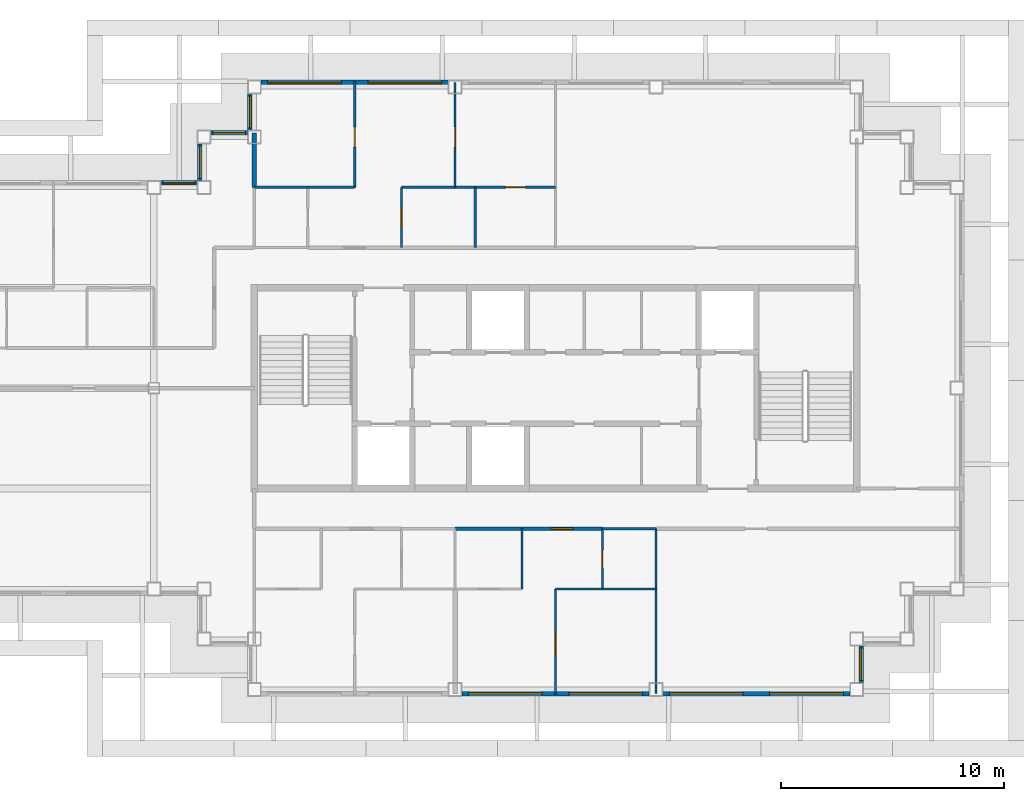
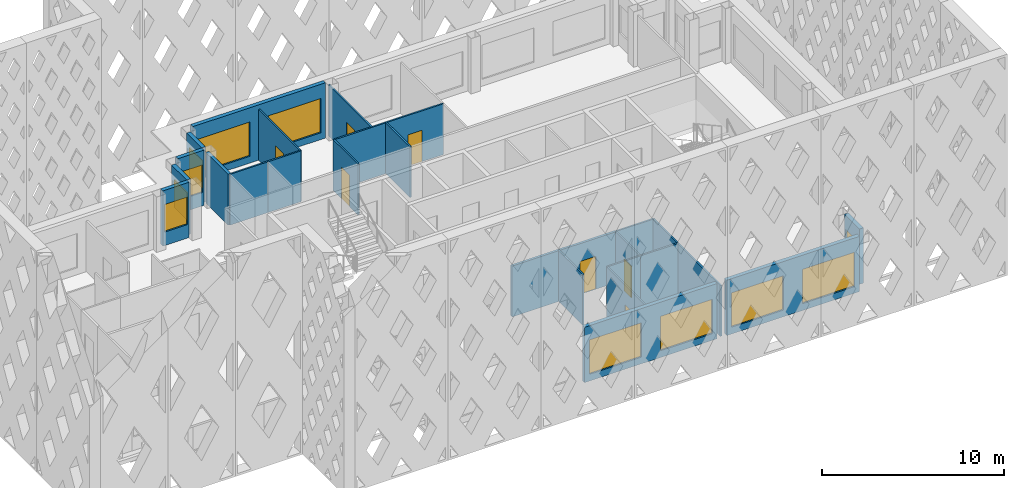
# One storey, part 4 of 15: 25 walls, 11 windows, 7 doors, 18 openings.
"""IFC4 building model written with IfcOpenShell, lengths in metres."""

from ifc_helpers import new_model, si_unit, direction, frame, frame_2d, origin, place, context, subcontext, project, spatial, rectangle, extrude, material, layer, layer_set, type_object, element, fill, save


model = new_model("IFC4")

# Units and contexts
model_context = context("Model", 3, precision=1e-05, world=origin(), true_north=direction((0.0, 1.0)))
body_context = subcontext(model_context, "Body", "Model", "MODEL_VIEW")
ifc_project = project(units=[si_unit("LENGTHUNIT", "METRE"), si_unit("AREAUNIT", "SQUARE_METRE"), si_unit("VOLUMEUNIT", "CUBIC_METRE"), si_unit("PLANEANGLEUNIT", "RADIAN"), si_unit("MASSUNIT", "GRAM", prefix="KILO")], contexts=[model_context])

# Site, building, storey
site_placement = place(None, origin())
site = spatial("IfcSite", under=ifc_project, at=site_placement, CompositionType="ELEMENT")
building_placement = place(site_placement, origin())
building = spatial("IfcBuilding", under=site, at=building_placement, Name="Caravel Reach Hotel and Residences", CompositionType="ELEMENT")
storey_placement = place(building_placement, frame((0.0, 0.0, 252.699951171875)))
storey = spatial("IfcBuildingStorey", under=building, at=storey_placement, Name="L64", CompositionType="ELEMENT", Elevation=252.699951171875)

# Walls
ifc_material_1 = material(Name="Gypsum board on steel stud", Category="steel")
ifc_layer_1 = layer(ifc_material_1, 0.10009765625)
ifc_layer_set_1 = layer_set([ifc_layer_1], Name="Bathroom pod wall 100 mm")
wall_type_1 = type_object("IfcWallType", Name="Bathroom pod wall 100 mm", PredefinedType="PARTITIONING", material=ifc_layer_set_1)
for number, where, z_axis, x_axis, name in (
    (1, (33.60009765625, 18.0, 0.0), (0.0, 0.0, 1.0), (1.0, 0.0, 0.0), "L64 wall w054"),
    (2, (33.60009765625, 20.699951171875, 0.0), (0.0, 0.0, 1.0), (1.0, 0.0, 0.0), "L64 wall w056"),
    (3, (18.0, 36.0, 0.0), (0.0, 0.0, 1.0), (1.0, 0.0, 0.0), "L64 wall w060"),
):
    element("IfcWall", number, at=place(storey_placement, frame(where, z_axis=z_axis, x_axis=x_axis)), inside=storey, type_object=wall_type_1, Name=name, PredefinedType="PARTITIONING", context=body_context, shape_type="SweptSolid", body=[
        extrude(rectangle(XDim=2.39990234375, YDim=0.10009765625, at=frame_2d((1.199951171875, 0.0))), origin(), (0.0, 0.0, 1.0), 3.400146484375),
    ])

# Wall, opening, door
wall_1_placement = place(storey_placement, frame((33.60009765625, 18.0, 0.0), z_axis=(0.0, 0.0, 1.0), x_axis=(0.0, 1.0, 0.0)))
wall_1 = element("IfcWall", 4, at=wall_1_placement, inside=storey, type_object=wall_type_1, Name="L64 wall w065", PredefinedType="PARTITIONING", context=body_context, shape_type="SweptSolid", body=[
    extrude(rectangle(XDim=2.699951171875, YDim=0.10009765625, at=frame_2d((1.35009765625, 0.0))), origin(), (0.0, 0.0, 1.0), 3.400146484375),
])
opening_1_placement = place(wall_1_placement, frame((0.949951171875, 0.0, 0.0)))
opening_1 = element("IfcOpeningElement", 5, at=opening_1_placement, cuts=wall_1, Name="Opening D64-036", PredefinedType="OPENING", context=body_context, shape_type="SweptSolid", body=[
    extrude(rectangle(XDim=0.800048828125, YDim=2.10009765625, at=frame_2d((0.39990234375, 1.050048828125))), frame((0.0, 0.06005859375, 0.0), z_axis=(0.0, -1.0, 0.0), x_axis=(1.0, 0.0, 0.0)), (0.0, 0.0, 1.0), 0.1201171875),
])
ifc_material_2 = material(Name="Timber and steel door leaf", Category="steel")
door_type_1 = type_object("IfcDoorType", Name="Bathroom door 800 x 2100", OperationType="SINGLE_SWING_LEFT", PredefinedType="DOOR", material=ifc_material_2)
door_1_placement = place(opening_1_placement, origin())
door_1 = element("IfcDoor", 6, at=door_1_placement, inside=storey, type_object=door_type_1, Name="door D64-036", OperationType="SINGLE_SWING_LEFT", OverallHeight=2.10009765625, OverallWidth=0.800048828125, PredefinedType="DOOR", context=body_context, shape_type="SweptSolid", body=[
    extrude(rectangle(XDim=0.800048828125, YDim=2.10009765625, at=frame_2d((0.39990234375, 1.050048828125))), frame((0.0, 0.02490234375, 0.0), z_axis=(0.0, -1.0, 0.0), x_axis=(1.0, 0.0, 0.0)), (0.0, 0.0, 1.0), 0.050048828125),
])
fill(opening_1, door_1)

# Wall
wall_2_placement = place(storey_placement, frame((36.0, 18.0, 0.0), z_axis=(0.0, 0.0, 1.0), x_axis=(0.0, 1.0, 0.0)))
element("IfcWall", 7, at=wall_2_placement, inside=storey, type_object=wall_type_1, Name="L64 wall w066", PredefinedType="PARTITIONING", context=body_context, shape_type="SweptSolid", body=[
    extrude(rectangle(XDim=2.699951171875, YDim=0.10009765625, at=frame_2d((1.35009765625, 0.0))), origin(), (0.0, 0.0, 1.0), 3.400146484375),
])

# Wall, opening, door
ifc_material_3 = material(Name="Gypsum board on steel stud, fire-rated", Category="steel")
ifc_layer_2 = layer(ifc_material_3, 0.14990234375)
ifc_layer_set_2 = layer_set([ifc_layer_2], Name="Corridor wall 150 mm EI 60")
wall_type_2 = type_object("IfcWallType", Name="Corridor wall 150 mm EI 60", PredefinedType="PARTITIONING", material=ifc_layer_set_2)
wall_3_placement = place(storey_placement, frame((27.0, 20.699951171875, 0.0), z_axis=(0.0, 0.0, 1.0), x_axis=(1.0, 0.0, 0.0)))
wall_3 = element("IfcWall", 8, at=wall_3_placement, inside=storey, type_object=wall_type_2, Name="L64 wall w004", PredefinedType="PARTITIONING", context=body_context, shape_type="SweptSolid", body=[
    extrude(rectangle(XDim=6.60009765625, YDim=0.14990234375, at=frame_2d((3.300048828125, 0.0))), origin(), (0.0, 0.0, 1.0), 3.400146484375),
])
opening_2_placement = place(wall_3_placement, frame((4.300048828125, 0.0, 0.0)))
opening_2 = element("IfcOpeningElement", 9, at=opening_2_placement, cuts=wall_3, Name="Opening D64-034", PredefinedType="OPENING", context=body_context, shape_type="SweptSolid", body=[
    extrude(rectangle(XDim=1.0, YDim=2.199951171875, at=frame_2d((0.5, 1.10009765625))), frame((0.0, 0.0849609375, 0.0), z_axis=(0.0, -1.0, 0.0), x_axis=(1.0, 0.0, 0.0)), (0.0, 0.0, 1.0), 0.169921875),
])
ifc_material_4 = material(Name="Steel fire door leaf", Category="steel")
door_type_2 = type_object("IfcDoorType", Name="Flat entrance door 1000 x 2200 EI 60", OperationType="SINGLE_SWING_LEFT", PredefinedType="DOOR", material=ifc_material_4)
door_2_placement = place(opening_2_placement, origin())
door_2 = element("IfcDoor", 10, at=door_2_placement, inside=storey, type_object=door_type_2, Name="door D64-034", OperationType="SINGLE_SWING_RIGHT", OverallHeight=2.199951171875, OverallWidth=1.0, PredefinedType="DOOR", context=body_context, shape_type="SweptSolid", body=[
    extrude(rectangle(XDim=1.0, YDim=2.199951171875, at=frame_2d((0.5, 1.10009765625))), frame((0.0, 0.02490234375, 0.0), z_axis=(0.0, -1.0, 0.0), x_axis=(1.0, 0.0, 0.0)), (0.0, 0.0, 1.0), 0.050048828125),
])
fill(opening_2, door_2)

# Wall, openings, windows
ifc_material_5 = material(Name="Insulated rainscreen wall, aluminium cladding", Category="aluminium")
ifc_layer_3 = layer(ifc_material_5, 0.25)
ifc_layer_set_3 = layer_set([ifc_layer_3], Name="EW1 Tower rainscreen wall")
wall_type_3 = type_object("IfcWallType", Name="EW1 Tower rainscreen wall", PredefinedType="SOLIDWALL", material=ifc_layer_set_3)
wall_4_placement = place(storey_placement, frame((27.300048828125, 13.324951171875, 0.0), z_axis=(0.0, 0.0, 1.0), x_axis=(1.0, 0.0, 0.0)))
wall_4 = element("IfcWall", 11, at=wall_4_placement, inside=storey, type_object=wall_type_3, Name="External wall L64 S4.2", PredefinedType="SOLIDWALL", context=body_context, shape_type="SweptSolid", body=[
    extrude(rectangle(XDim=8.39990234375, YDim=0.25, at=frame_2d((4.199951171875, 0.0))), origin(), (0.0, 0.0, 1.0), 3.699951171875),
])
opening_3_placement = place(wall_4_placement, frame((0.300048828125, 0.0, 0.449951171875)))
opening_3 = element("IfcOpeningElement", 12, at=opening_3_placement, cuts=wall_4, Name="Opening WN15", PredefinedType="OPENING", context=body_context, shape_type="SweptSolid", body=[
    extrude(rectangle(XDim=3.300048828125, YDim=2.300048828125, at=frame_2d((1.64990234375, 1.14990234375))), frame((0.0, 0.135009765625, 0.0), z_axis=(0.0, -1.0, 0.0), x_axis=(1.0, 0.0, 0.0)), (0.0, 0.0, 1.0), 0.27001953125),
])
opening_4_placement = place(wall_4_placement, frame((4.800048828125, 0.0, 0.449951171875)))
opening_4 = element("IfcOpeningElement", 13, at=opening_4_placement, cuts=wall_4, Name="Opening WN15", PredefinedType="OPENING", context=body_context, shape_type="SweptSolid", body=[
    extrude(rectangle(XDim=3.300048828125, YDim=2.300048828125, at=frame_2d((1.64990234375, 1.14990234375))), frame((0.0, 0.135009765625, 0.0), z_axis=(0.0, -1.0, 0.0), x_axis=(1.0, 0.0, 0.0)), (0.0, 0.0, 1.0), 0.27001953125),
])
ifc_material_6 = material(Name="Dark low-e glazing in black aluminium frame", Category="aluminium")
window_type_1 = type_object("IfcWindowType", Name="Residence living window 3300 x 2300", PartitioningType="SINGLE_PANEL", PredefinedType="WINDOW", material=ifc_material_6)
window_1_placement = place(opening_3_placement, origin())
window_1 = element("IfcWindow", 14, at=window_1_placement, inside=storey, type_object=window_type_1, Name="Window L64 S4.2.1", OverallHeight=2.300048828125, OverallWidth=3.300048828125, PartitioningType="SINGLE_PANEL", PredefinedType="WINDOW", context=body_context, shape_type="SweptSolid", body=[
    extrude(rectangle(XDim=3.300048828125, YDim=2.300048828125, at=frame_2d((1.64990234375, 1.14990234375))), frame((0.0, 0.030029296875, 0.0), z_axis=(0.0, -1.0, 0.0), x_axis=(1.0, 0.0, 0.0)), (0.0, 0.0, 1.0), 0.06005859375),
])
fill(opening_3, window_1)
window_2_placement = place(opening_4_placement, origin())
window_2 = element("IfcWindow", 15, at=window_2_placement, inside=storey, type_object=window_type_1, Name="Window L64 S4.2.2", OverallHeight=2.300048828125, OverallWidth=3.300048828125, PartitioningType="SINGLE_PANEL", PredefinedType="WINDOW", context=body_context, shape_type="SweptSolid", body=[
    extrude(rectangle(XDim=3.300048828125, YDim=2.300048828125, at=frame_2d((1.64990234375, 1.14990234375))), frame((0.0, 0.030029296875, 0.0), z_axis=(0.0, -1.0, 0.0), x_axis=(1.0, 0.0, 0.0)), (0.0, 0.0, 1.0), 0.06005859375),
])
fill(opening_4, window_2)

wall_5_placement = place(storey_placement, frame((36.300048828125, 13.324951171875, 0.0), z_axis=(0.0, 0.0, 1.0), x_axis=(1.0, 0.0, 0.0)))
wall_5 = element("IfcWall", 16, at=wall_5_placement, inside=storey, type_object=wall_type_3, Name="External wall L64 S4.3", PredefinedType="SOLIDWALL", context=body_context, shape_type="SweptSolid", body=[
    extrude(rectangle(XDim=8.39990234375, YDim=0.25, at=frame_2d((4.199951171875, 0.0))), origin(), (0.0, 0.0, 1.0), 3.699951171875),
])
opening_5_placement = place(wall_5_placement, frame((0.300048828125, 0.0, 0.449951171875)))
opening_5 = element("IfcOpeningElement", 17, at=opening_5_placement, cuts=wall_5, Name="Opening WN15", PredefinedType="OPENING", context=body_context, shape_type="SweptSolid", body=[
    extrude(rectangle(XDim=3.300048828125, YDim=2.300048828125, at=frame_2d((1.64990234375, 1.14990234375))), frame((0.0, 0.135009765625, 0.0), z_axis=(0.0, -1.0, 0.0), x_axis=(1.0, 0.0, 0.0)), (0.0, 0.0, 1.0), 0.27001953125),
])
opening_6_placement = place(wall_5_placement, frame((4.800048828125, 0.0, 0.449951171875)))
opening_6 = element("IfcOpeningElement", 18, at=opening_6_placement, cuts=wall_5, Name="Opening WN15", PredefinedType="OPENING", context=body_context, shape_type="SweptSolid", body=[
    extrude(rectangle(XDim=3.300048828125, YDim=2.300048828125, at=frame_2d((1.64990234375, 1.14990234375))), frame((0.0, 0.135009765625, 0.0), z_axis=(0.0, -1.0, 0.0), x_axis=(1.0, 0.0, 0.0)), (0.0, 0.0, 1.0), 0.27001953125),
])
window_3_placement = place(opening_5_placement, origin())
window_3 = element("IfcWindow", 19, at=window_3_placement, inside=storey, type_object=window_type_1, Name="Window L64 S4.3.1", OverallHeight=2.300048828125, OverallWidth=3.300048828125, PartitioningType="SINGLE_PANEL", PredefinedType="WINDOW", context=body_context, shape_type="SweptSolid", body=[
    extrude(rectangle(XDim=3.300048828125, YDim=2.300048828125, at=frame_2d((1.64990234375, 1.14990234375))), frame((0.0, 0.030029296875, 0.0), z_axis=(0.0, -1.0, 0.0), x_axis=(1.0, 0.0, 0.0)), (0.0, 0.0, 1.0), 0.06005859375),
])
fill(opening_5, window_3)
window_4_placement = place(opening_6_placement, origin())
window_4 = element("IfcWindow", 20, at=window_4_placement, inside=storey, type_object=window_type_1, Name="Window L64 S4.3.2", OverallHeight=2.300048828125, OverallWidth=3.300048828125, PartitioningType="SINGLE_PANEL", PredefinedType="WINDOW", context=body_context, shape_type="SweptSolid", body=[
    extrude(rectangle(XDim=3.300048828125, YDim=2.300048828125, at=frame_2d((1.64990234375, 1.14990234375))), frame((0.0, 0.030029296875, 0.0), z_axis=(0.0, -1.0, 0.0), x_axis=(1.0, 0.0, 0.0)), (0.0, 0.0, 1.0), 0.06005859375),
])
fill(opening_6, window_4)

# Wall, opening, window
wall_6_placement = place(storey_placement, frame((45.175048828125, 13.800048828125, 0.0), z_axis=(0.0, 0.0, 1.0), x_axis=(0.0, 1.0, 0.0)))
wall_6 = element("IfcWall", 21, at=wall_6_placement, inside=storey, type_object=wall_type_3, Name="External wall L64 E5.1", PredefinedType="SOLIDWALL", context=body_context, shape_type="SweptSolid", body=[
    extrude(rectangle(XDim=1.64990234375, YDim=0.25, at=frame_2d((0.824951171875, 0.0))), origin(), (0.0, 0.0, 1.0), 3.699951171875),
])
opening_7_placement = place(wall_6_placement, frame((0.10009765625, 0.0, 0.89990234375)))
opening_7 = element("IfcOpeningElement", 22, at=opening_7_placement, cuts=wall_6, Name="Opening WN25", PredefinedType="OPENING", context=body_context, shape_type="SweptSolid", body=[
    extrude(rectangle(XDim=1.449951171875, YDim=1.85009765625, at=frame_2d((0.72509765625, 0.925048828125))), frame((0.0, 0.135009765625, 0.0), z_axis=(0.0, -1.0, 0.0), x_axis=(1.0, 0.0, 0.0)), (0.0, 0.0, 1.0), 0.27001953125),
])
ifc_material_7 = material(Name="Dark low-e glazing in black aluminium frame", Category="aluminium")
window_type_2 = type_object("IfcWindowType", Name="Residence bedroom window 1450 x 1850", PartitioningType="SINGLE_PANEL", PredefinedType="WINDOW", material=ifc_material_7)
window_5_placement = place(opening_7_placement, origin())
window_5 = element("IfcWindow", 23, at=window_5_placement, inside=storey, type_object=window_type_2, Name="Window L64 E5.1.1", OverallHeight=1.85009765625, OverallWidth=1.449951171875, PartitioningType="SINGLE_PANEL", PredefinedType="WINDOW", context=body_context, shape_type="SweptSolid", body=[
    extrude(rectangle(XDim=1.449951171875, YDim=1.85009765625, at=frame_2d((0.72509765625, 0.925048828125))), frame((0.0, 0.030029296875, 0.0), z_axis=(0.0, -1.0, 0.0), x_axis=(1.0, 0.0, 0.0)), (0.0, 0.0, 1.0), 0.06005859375),
])
fill(opening_7, window_5)

# Wall, openings, windows
wall_7_placement = place(storey_placement, frame((26.699951171875, 40.675048828125, 0.0), z_axis=(0.0, 0.0, 1.0), x_axis=(-1.0, 0.0, 0.0)))
wall_7 = element("IfcWall", 24, at=wall_7_placement, inside=storey, type_object=wall_type_3, Name="External wall L64 N14.3", PredefinedType="SOLIDWALL", context=body_context, shape_type="SweptSolid", body=[
    extrude(rectangle(XDim=8.39990234375, YDim=0.25, at=frame_2d((4.199951171875, 0.0))), origin(), (0.0, 0.0, 1.0), 3.699951171875),
])
opening_8_placement = place(wall_7_placement, frame((0.300048828125, 0.0, 0.449951171875)))
opening_8 = element("IfcOpeningElement", 25, at=opening_8_placement, cuts=wall_7, Name="Opening WN15", PredefinedType="OPENING", context=body_context, shape_type="SweptSolid", body=[
    extrude(rectangle(XDim=3.300048828125, YDim=2.300048828125, at=frame_2d((1.64990234375, 1.14990234375))), frame((0.0, 0.135009765625, 0.0), z_axis=(0.0, -1.0, 0.0), x_axis=(1.0, 0.0, 0.0)), (0.0, 0.0, 1.0), 0.27001953125),
])
opening_9_placement = place(wall_7_placement, frame((4.800048828125, 0.0, 0.449951171875)))
opening_9 = element("IfcOpeningElement", 26, at=opening_9_placement, cuts=wall_7, Name="Opening WN15", PredefinedType="OPENING", context=body_context, shape_type="SweptSolid", body=[
    extrude(rectangle(XDim=3.300048828125, YDim=2.300048828125, at=frame_2d((1.64990234375, 1.14990234375))), frame((0.0, 0.135009765625, 0.0), z_axis=(0.0, -1.0, 0.0), x_axis=(1.0, 0.0, 0.0)), (0.0, 0.0, 1.0), 0.27001953125),
])
window_6_placement = place(opening_8_placement, origin())
window_6 = element("IfcWindow", 27, at=window_6_placement, inside=storey, type_object=window_type_1, Name="Window L64 N14.3.1", OverallHeight=2.300048828125, OverallWidth=3.300048828125, PartitioningType="SINGLE_PANEL", PredefinedType="WINDOW", context=body_context, shape_type="SweptSolid", body=[
    extrude(rectangle(XDim=3.300048828125, YDim=2.300048828125, at=frame_2d((1.64990234375, 1.14990234375))), frame((0.0, 0.030029296875, 0.0), z_axis=(0.0, -1.0, 0.0), x_axis=(1.0, 0.0, 0.0)), (0.0, 0.0, 1.0), 0.06005859375),
])
fill(opening_8, window_6)
window_7_placement = place(opening_9_placement, origin())
window_7 = element("IfcWindow", 28, at=window_7_placement, inside=storey, type_object=window_type_1, Name="Window L64 N14.3.2", OverallHeight=2.300048828125, OverallWidth=3.300048828125, PartitioningType="SINGLE_PANEL", PredefinedType="WINDOW", context=body_context, shape_type="SweptSolid", body=[
    extrude(rectangle(XDim=3.300048828125, YDim=2.300048828125, at=frame_2d((1.64990234375, 1.14990234375))), frame((0.0, 0.030029296875, 0.0), z_axis=(0.0, -1.0, 0.0), x_axis=(1.0, 0.0, 0.0)), (0.0, 0.0, 1.0), 0.06005859375),
])
fill(opening_9, window_7)

# Wall, opening, window
wall_8_placement = place(storey_placement, frame((17.824951171875, 40.199951171875, 0.0), z_axis=(0.0, 0.0, 1.0), x_axis=(0.0, -1.0, 0.0)))
wall_8 = element("IfcWall", 29, at=wall_8_placement, inside=storey, type_object=wall_type_3, Name="External wall L64 W15.1", PredefinedType="SOLIDWALL", context=body_context, shape_type="SweptSolid", body=[
    extrude(rectangle(XDim=1.64990234375, YDim=0.25, at=frame_2d((0.824951171875, 0.0))), origin(), (0.0, 0.0, 1.0), 3.699951171875),
])
opening_10_placement = place(wall_8_placement, frame((0.10009765625, 0.0, 0.89990234375)))
opening_10 = element("IfcOpeningElement", 30, at=opening_10_placement, cuts=wall_8, Name="Opening WN25", PredefinedType="OPENING", context=body_context, shape_type="SweptSolid", body=[
    extrude(rectangle(XDim=1.449951171875, YDim=1.85009765625, at=frame_2d((0.72509765625, 0.925048828125))), frame((0.0, 0.135009765625, 0.0), z_axis=(0.0, -1.0, 0.0), x_axis=(1.0, 0.0, 0.0)), (0.0, 0.0, 1.0), 0.27001953125),
])
window_8_placement = place(opening_10_placement, origin())
window_8 = element("IfcWindow", 31, at=window_8_placement, inside=storey, type_object=window_type_2, Name="Window L64 W15.1.1", OverallHeight=1.85009765625, OverallWidth=1.449951171875, PartitioningType="SINGLE_PANEL", PredefinedType="WINDOW", context=body_context, shape_type="SweptSolid", body=[
    extrude(rectangle(XDim=1.449951171875, YDim=1.85009765625, at=frame_2d((0.72509765625, 0.925048828125))), frame((0.0, 0.030029296875, 0.0), z_axis=(0.0, -1.0, 0.0), x_axis=(1.0, 0.0, 0.0)), (0.0, 0.0, 1.0), 0.06005859375),
])
fill(opening_10, window_8)

wall_9_placement = place(storey_placement, frame((17.699951171875, 38.425048828125, 0.0), z_axis=(0.0, 0.0, 1.0), x_axis=(-1.0, 0.0, 0.0)))
wall_9 = element("IfcWall", 32, at=wall_9_placement, inside=storey, type_object=wall_type_3, Name="External wall L64 N16.1", PredefinedType="SOLIDWALL", context=body_context, shape_type="SweptSolid", body=[
    extrude(rectangle(XDim=1.64990234375, YDim=0.25, at=frame_2d((0.824951171875, 0.0))), origin(), (0.0, 0.0, 1.0), 3.699951171875),
])
opening_11_placement = place(wall_9_placement, frame((0.10009765625, 0.0, 0.89990234375)))
opening_11 = element("IfcOpeningElement", 33, at=opening_11_placement, cuts=wall_9, Name="Opening WN25", PredefinedType="OPENING", context=body_context, shape_type="SweptSolid", body=[
    extrude(rectangle(XDim=1.449951171875, YDim=1.85009765625, at=frame_2d((0.72509765625, 0.925048828125))), frame((0.0, 0.135009765625, 0.0), z_axis=(0.0, -1.0, 0.0), x_axis=(1.0, 0.0, 0.0)), (0.0, 0.0, 1.0), 0.27001953125),
])
window_9_placement = place(opening_11_placement, origin())
window_9 = element("IfcWindow", 34, at=window_9_placement, inside=storey, type_object=window_type_2, Name="Window L64 N16.1.1", OverallHeight=1.85009765625, OverallWidth=1.449951171875, PartitioningType="SINGLE_PANEL", PredefinedType="WINDOW", context=body_context, shape_type="SweptSolid", body=[
    extrude(rectangle(XDim=1.449951171875, YDim=1.85009765625, at=frame_2d((0.72509765625, 0.925048828125))), frame((0.0, 0.030029296875, 0.0), z_axis=(0.0, -1.0, 0.0), x_axis=(1.0, 0.0, 0.0)), (0.0, 0.0, 1.0), 0.06005859375),
])
fill(opening_11, window_9)

wall_10_placement = place(storey_placement, frame((15.574951171875, 37.949951171875, 0.0), z_axis=(0.0, 0.0, 1.0), x_axis=(0.0, -1.0, 0.0)))
wall_10 = element("IfcWall", 35, at=wall_10_placement, inside=storey, type_object=wall_type_3, Name="External wall L64 W17.1", PredefinedType="SOLIDWALL", context=body_context, shape_type="SweptSolid", body=[
    extrude(rectangle(XDim=1.64990234375, YDim=0.25, at=frame_2d((0.824951171875, 0.0))), origin(), (0.0, 0.0, 1.0), 3.699951171875),
])
opening_12_placement = place(wall_10_placement, frame((0.10009765625, 0.0, 0.89990234375)))
opening_12 = element("IfcOpeningElement", 36, at=opening_12_placement, cuts=wall_10, Name="Opening WN25", PredefinedType="OPENING", context=body_context, shape_type="SweptSolid", body=[
    extrude(rectangle(XDim=1.449951171875, YDim=1.85009765625, at=frame_2d((0.72509765625, 0.925048828125))), frame((0.0, 0.135009765625, 0.0), z_axis=(0.0, -1.0, 0.0), x_axis=(1.0, 0.0, 0.0)), (0.0, 0.0, 1.0), 0.27001953125),
])
window_10_placement = place(opening_12_placement, origin())
window_10 = element("IfcWindow", 37, at=window_10_placement, inside=storey, type_object=window_type_2, Name="Window L64 W17.1.1", OverallHeight=1.85009765625, OverallWidth=1.449951171875, PartitioningType="SINGLE_PANEL", PredefinedType="WINDOW", context=body_context, shape_type="SweptSolid", body=[
    extrude(rectangle(XDim=1.449951171875, YDim=1.85009765625, at=frame_2d((0.72509765625, 0.925048828125))), frame((0.0, 0.030029296875, 0.0), z_axis=(0.0, -1.0, 0.0), x_axis=(1.0, 0.0, 0.0)), (0.0, 0.0, 1.0), 0.06005859375),
])
fill(opening_12, window_10)

wall_11_placement = place(storey_placement, frame((15.449951171875, 36.175048828125, 0.0), z_axis=(0.0, 0.0, 1.0), x_axis=(-1.0, 0.0, 0.0)))
wall_11 = element("IfcWall", 38, at=wall_11_placement, inside=storey, type_object=wall_type_3, Name="External wall L64 N18.1", PredefinedType="SOLIDWALL", context=body_context, shape_type="SweptSolid", body=[
    extrude(rectangle(XDim=1.64990234375, YDim=0.25, at=frame_2d((0.824951171875, 0.0))), origin(), (0.0, 0.0, 1.0), 3.699951171875),
])
opening_13_placement = place(wall_11_placement, frame((0.10009765625, 0.0, 0.89990234375)))
opening_13 = element("IfcOpeningElement", 39, at=opening_13_placement, cuts=wall_11, Name="Opening WN25", PredefinedType="OPENING", context=body_context, shape_type="SweptSolid", body=[
    extrude(rectangle(XDim=1.449951171875, YDim=1.85009765625, at=frame_2d((0.72509765625, 0.925048828125))), frame((0.0, 0.135009765625, 0.0), z_axis=(0.0, -1.0, 0.0), x_axis=(1.0, 0.0, 0.0)), (0.0, 0.0, 1.0), 0.27001953125),
])
window_11_placement = place(opening_13_placement, origin())
window_11 = element("IfcWindow", 40, at=window_11_placement, inside=storey, type_object=window_type_2, Name="Window L64 N18.1.1", OverallHeight=1.85009765625, OverallWidth=1.449951171875, PartitioningType="SINGLE_PANEL", PredefinedType="WINDOW", context=body_context, shape_type="SweptSolid", body=[
    extrude(rectangle(XDim=1.449951171875, YDim=1.85009765625, at=frame_2d((0.72509765625, 0.925048828125))), frame((0.0, 0.030029296875, 0.0), z_axis=(0.0, -1.0, 0.0), x_axis=(1.0, 0.0, 0.0)), (0.0, 0.0, 1.0), 0.06005859375),
])
fill(opening_13, window_11)

# Walls
ifc_material_8 = material(Name="Gypsum board on steel stud", Category="steel")
ifc_layer_4 = layer(ifc_material_8, 0.10009765625)
ifc_layer_set_4 = layer_set([ifc_layer_4], Name="Partition 100 mm")
wall_type_4 = type_object("IfcWallType", Name="Partition 100 mm", PredefinedType="PARTITIONING", material=ifc_layer_set_4)
for number, where, z_axis, x_axis, name in (
    (41, (31.5, 18.0, 0.0), (0.0, 0.0, 1.0), (1.0, 0.0, 0.0), "L64 wall w023"),
    (42, (20.39990234375, 36.0, 0.0), (0.0, 0.0, 1.0), (1.0, 0.0, 0.0), "L64 wall w028"),
):
    element("IfcWall", number, at=place(storey_placement, frame(where, z_axis=z_axis, x_axis=x_axis)), inside=storey, type_object=wall_type_4, Name=name, PredefinedType="PARTITIONING", context=body_context, shape_type="SweptSolid", body=[
        extrude(rectangle(XDim=2.10009765625, YDim=0.10009765625, at=frame_2d((1.050048828125, 0.0))), origin(), (0.0, 0.0, 1.0), 3.400146484375),
    ])

# Wall, opening, door
wall_12_placement = place(storey_placement, frame((24.60009765625, 36.0, 0.0), z_axis=(0.0, 0.0, 1.0), x_axis=(1.0, 0.0, 0.0)))
wall_12 = element("IfcWall", 43, at=wall_12_placement, inside=storey, type_object=wall_type_4, Name="L64 wall w030", PredefinedType="PARTITIONING", context=body_context, shape_type="SweptSolid", body=[
    extrude(rectangle(XDim=6.89990234375, YDim=0.10009765625, at=frame_2d((3.449951171875, 0.0))), origin(), (0.0, 0.0, 1.0), 3.400146484375),
])
opening_14_placement = place(wall_12_placement, frame((4.650146484375, 0.0, 0.0)))
opening_14 = element("IfcOpeningElement", 44, at=opening_14_placement, cuts=wall_12, Name="Opening D64-021", PredefinedType="OPENING", context=body_context, shape_type="SweptSolid", body=[
    extrude(rectangle(XDim=0.89990234375, YDim=2.10009765625, at=frame_2d((0.449951171875, 1.050048828125))), frame((0.0, 0.06005859375, 0.0), z_axis=(0.0, -1.0, 0.0), x_axis=(1.0, 0.0, 0.0)), (0.0, 0.0, 1.0), 0.1201171875),
])
ifc_material_9 = material(Name="Timber and steel door leaf", Category="steel")
door_type_3 = type_object("IfcDoorType", Name="Door 900 x 2100 timber", OperationType="SINGLE_SWING_LEFT", PredefinedType="DOOR", material=ifc_material_9)
door_3_placement = place(opening_14_placement, origin())
door_3 = element("IfcDoor", 45, at=door_3_placement, inside=storey, type_object=door_type_3, Name="door D64-021", OperationType="SINGLE_SWING_RIGHT", OverallHeight=2.10009765625, OverallWidth=0.89990234375, PredefinedType="DOOR", context=body_context, shape_type="SweptSolid", body=[
    extrude(rectangle(XDim=0.89990234375, YDim=2.10009765625, at=frame_2d((0.449951171875, 1.050048828125))), frame((0.0, 0.02490234375, 0.0), z_axis=(0.0, -1.0, 0.0), x_axis=(1.0, 0.0, 0.0)), (0.0, 0.0, 1.0), 0.050048828125),
])
fill(opening_14, door_3)

wall_13_placement = place(storey_placement, frame((22.5, 36.0, 0.0), z_axis=(0.0, 0.0, 1.0), x_axis=(0.0, 1.0, 0.0)))
wall_13 = element("IfcWall", 46, at=wall_13_placement, inside=storey, type_object=wall_type_4, Name="L64 wall w037", PredefinedType="PARTITIONING", context=body_context, shape_type="SweptSolid", body=[
    extrude(rectangle(XDim=4.739990234375, YDim=0.10009765625, at=frame_2d((2.3701171875, 0.0))), origin(), (0.0, 0.0, 1.0), 3.400146484375),
])
opening_15_placement = place(wall_13_placement, frame((1.800048828125, 0.0, 0.0)))
opening_15 = element("IfcOpeningElement", 47, at=opening_15_placement, cuts=wall_13, Name="Opening D64-022", PredefinedType="OPENING", context=body_context, shape_type="SweptSolid", body=[
    extrude(rectangle(XDim=0.89990234375, YDim=2.10009765625, at=frame_2d((0.449951171875, 1.050048828125))), frame((0.0, 0.06005859375, 0.0), z_axis=(0.0, -1.0, 0.0), x_axis=(1.0, 0.0, 0.0)), (0.0, 0.0, 1.0), 0.1201171875),
])
door_4_placement = place(opening_15_placement, origin())
door_4 = element("IfcDoor", 48, at=door_4_placement, inside=storey, type_object=door_type_3, Name="door D64-022", OperationType="SINGLE_SWING_LEFT", OverallHeight=2.10009765625, OverallWidth=0.89990234375, PredefinedType="DOOR", context=body_context, shape_type="SweptSolid", body=[
    extrude(rectangle(XDim=0.89990234375, YDim=2.10009765625, at=frame_2d((0.449951171875, 1.050048828125))), frame((0.0, 0.02490234375, 0.0), z_axis=(0.0, -1.0, 0.0), x_axis=(1.0, 0.0, 0.0)), (0.0, 0.0, 1.0), 0.050048828125),
])
fill(opening_15, door_4)

wall_14_placement = place(storey_placement, frame((24.60009765625, 33.300048828125, 0.0), z_axis=(0.0, 0.0, 1.0), x_axis=(0.0, 1.0, 0.0)))
wall_14 = element("IfcWall", 49, at=wall_14_placement, inside=storey, type_object=wall_type_4, Name="L64 wall w039", PredefinedType="PARTITIONING", context=body_context, shape_type="SweptSolid", body=[
    extrude(rectangle(XDim=2.699951171875, YDim=0.10009765625, at=frame_2d((1.35009765625, 0.0))), origin(), (0.0, 0.0, 1.0), 3.400146484375),
])
opening_16_placement = place(wall_14_placement, frame((0.89990234375, 0.0, 0.0)))
opening_16 = element("IfcOpeningElement", 50, at=opening_16_placement, cuts=wall_14, Name="Opening D64-020", PredefinedType="OPENING", context=body_context, shape_type="SweptSolid", body=[
    extrude(rectangle(XDim=0.89990234375, YDim=2.10009765625, at=frame_2d((0.449951171875, 1.050048828125))), frame((0.0, 0.06005859375, 0.0), z_axis=(0.0, -1.0, 0.0), x_axis=(1.0, 0.0, 0.0)), (0.0, 0.0, 1.0), 0.1201171875),
])
door_5_placement = place(opening_16_placement, origin())
door_5 = element("IfcDoor", 51, at=door_5_placement, inside=storey, type_object=door_type_3, Name="door D64-020", OperationType="SINGLE_SWING_LEFT", OverallHeight=2.10009765625, OverallWidth=0.89990234375, PredefinedType="DOOR", context=body_context, shape_type="SweptSolid", body=[
    extrude(rectangle(XDim=0.89990234375, YDim=2.10009765625, at=frame_2d((0.449951171875, 1.050048828125))), frame((0.0, 0.02490234375, 0.0), z_axis=(0.0, -1.0, 0.0), x_axis=(1.0, 0.0, 0.0)), (0.0, 0.0, 1.0), 0.050048828125),
])
fill(opening_16, door_5)

wall_15_placement = place(storey_placement, frame((27.0, 36.0, 0.0), z_axis=(0.0, 0.0, 1.0), x_axis=(0.0, 1.0, 0.0)))
wall_15 = element("IfcWall", 52, at=wall_15_placement, inside=storey, type_object=wall_type_4, Name="L64 wall w040", PredefinedType="PARTITIONING", context=body_context, shape_type="SweptSolid", body=[
    extrude(rectangle(XDim=4.68994140625, YDim=0.10009765625, at=frame_2d((2.344970703125, 0.0))), origin(), (0.0, 0.0, 1.0), 3.400146484375),
])
opening_17_placement = place(wall_15_placement, frame((1.800048828125, 0.0, 0.0)))
opening_17 = element("IfcOpeningElement", 53, at=opening_17_placement, cuts=wall_15, Name="Opening D64-023", PredefinedType="OPENING", context=body_context, shape_type="SweptSolid", body=[
    extrude(rectangle(XDim=0.89990234375, YDim=2.10009765625, at=frame_2d((0.449951171875, 1.050048828125))), frame((0.0, 0.06005859375, 0.0), z_axis=(0.0, -1.0, 0.0), x_axis=(1.0, 0.0, 0.0)), (0.0, 0.0, 1.0), 0.1201171875),
])
door_6_placement = place(opening_17_placement, origin())
door_6 = element("IfcDoor", 54, at=door_6_placement, inside=storey, type_object=door_type_3, Name="door D64-023", OperationType="SINGLE_SWING_RIGHT", OverallHeight=2.10009765625, OverallWidth=0.89990234375, PredefinedType="DOOR", context=body_context, shape_type="SweptSolid", body=[
    extrude(rectangle(XDim=0.89990234375, YDim=2.10009765625, at=frame_2d((0.449951171875, 1.050048828125))), frame((0.0, 0.02490234375, 0.0), z_axis=(0.0, -1.0, 0.0), x_axis=(1.0, 0.0, 0.0)), (0.0, 0.0, 1.0), 0.050048828125),
])
fill(opening_17, door_6)

# Walls
for number, where, z_axis, x_axis, name in (
    (55, (27.89990234375, 33.300048828125, 0.0), (0.0, 0.0, 1.0), (0.0, 1.0, 0.0), "L64 wall w041"),
    (56, (30.0, 18.0, 0.0), (0.0, 0.0, 1.0), (0.0, 1.0, 0.0), "L64 wall w042"),
):
    element("IfcWall", number, at=place(storey_placement, frame(where, z_axis=z_axis, x_axis=x_axis)), inside=storey, type_object=wall_type_4, Name=name, PredefinedType="PARTITIONING", context=body_context, shape_type="SweptSolid", body=[
        extrude(rectangle(XDim=2.699951171875, YDim=0.10009765625, at=frame_2d((1.35009765625, 0.0))), origin(), (0.0, 0.0, 1.0), 3.400146484375),
    ])

# Wall, opening, door
wall_16_placement = place(storey_placement, frame((31.5, 13.260009765625, 0.0), z_axis=(0.0, 0.0, 1.0), x_axis=(0.0, 1.0, 0.0)))
wall_16 = element("IfcWall", 57, at=wall_16_placement, inside=storey, type_object=wall_type_4, Name="L64 wall w045", PredefinedType="PARTITIONING", context=body_context, shape_type="SweptSolid", body=[
    extrude(rectangle(XDim=4.739990234375, YDim=0.10009765625, at=frame_2d((2.3701171875, 0.0))), origin(), (0.0, 0.0, 1.0), 3.400146484375),
])
opening_18_placement = place(wall_16_placement, frame((1.800048828125, 0.0, 0.0)))
opening_18 = element("IfcOpeningElement", 58, at=opening_18_placement, cuts=wall_16, Name="Opening D64-037", PredefinedType="OPENING", context=body_context, shape_type="SweptSolid", body=[
    extrude(rectangle(XDim=0.89990234375, YDim=2.10009765625, at=frame_2d((0.449951171875, 1.050048828125))), frame((0.0, 0.06005859375, 0.0), z_axis=(0.0, -1.0, 0.0), x_axis=(1.0, 0.0, 0.0)), (0.0, 0.0, 1.0), 0.1201171875),
])
door_7_placement = place(opening_18_placement, origin())
door_7 = element("IfcDoor", 59, at=door_7_placement, inside=storey, type_object=door_type_3, Name="door D64-037", OperationType="SINGLE_SWING_RIGHT", OverallHeight=2.10009765625, OverallWidth=0.89990234375, PredefinedType="DOOR", context=body_context, shape_type="SweptSolid", body=[
    extrude(rectangle(XDim=0.89990234375, YDim=2.10009765625, at=frame_2d((0.449951171875, 1.050048828125))), frame((0.0, 0.02490234375, 0.0), z_axis=(0.0, -1.0, 0.0), x_axis=(1.0, 0.0, 0.0)), (0.0, 0.0, 1.0), 0.050048828125),
])
fill(opening_18, door_7)

# Walls
wall_17_placement = place(storey_placement, frame((36.0, 13.31005859375, 0.0), z_axis=(0.0, 0.0, 1.0), x_axis=(0.0, 1.0, 0.0)))
element("IfcWall", 60, at=wall_17_placement, inside=storey, type_object=wall_type_4, Name="L64 wall w046", PredefinedType="PARTITIONING", context=body_context, shape_type="SweptSolid", body=[
    extrude(rectangle(XDim=4.68994140625, YDim=0.10009765625, at=frame_2d((2.344970703125, 0.0))), origin(), (0.0, 0.0, 1.0), 3.400146484375),
])
ifc_material_10 = material(Name="Autoclaved aerated block wall")
ifc_layer_5 = layer(ifc_material_10, 0.199951171875)
ifc_layer_set_5 = layer_set([ifc_layer_5], Name="Party wall 200 mm EI 60")
wall_type_5 = type_object("IfcWallType", Name="Party wall 200 mm EI 60", PredefinedType="PARTITIONING", material=ifc_layer_set_5)
wall_18_placement = place(storey_placement, frame((18.0, 36.0, 0.0), z_axis=(0.0, 0.0, 1.0), x_axis=(0.0, 1.0, 0.0)))
element("IfcWall", 61, at=wall_18_placement, inside=storey, type_object=wall_type_5, Name="L64 wall w051", PredefinedType="PARTITIONING", context=body_context, shape_type="SweptSolid", body=[
    extrude(rectangle(XDim=2.43994140625, YDim=0.199951171875, at=frame_2d((1.219970703125, 0.0))), origin(), (0.0, 0.0, 1.0), 3.400146484375),
])

save(model, "model.ifc")
